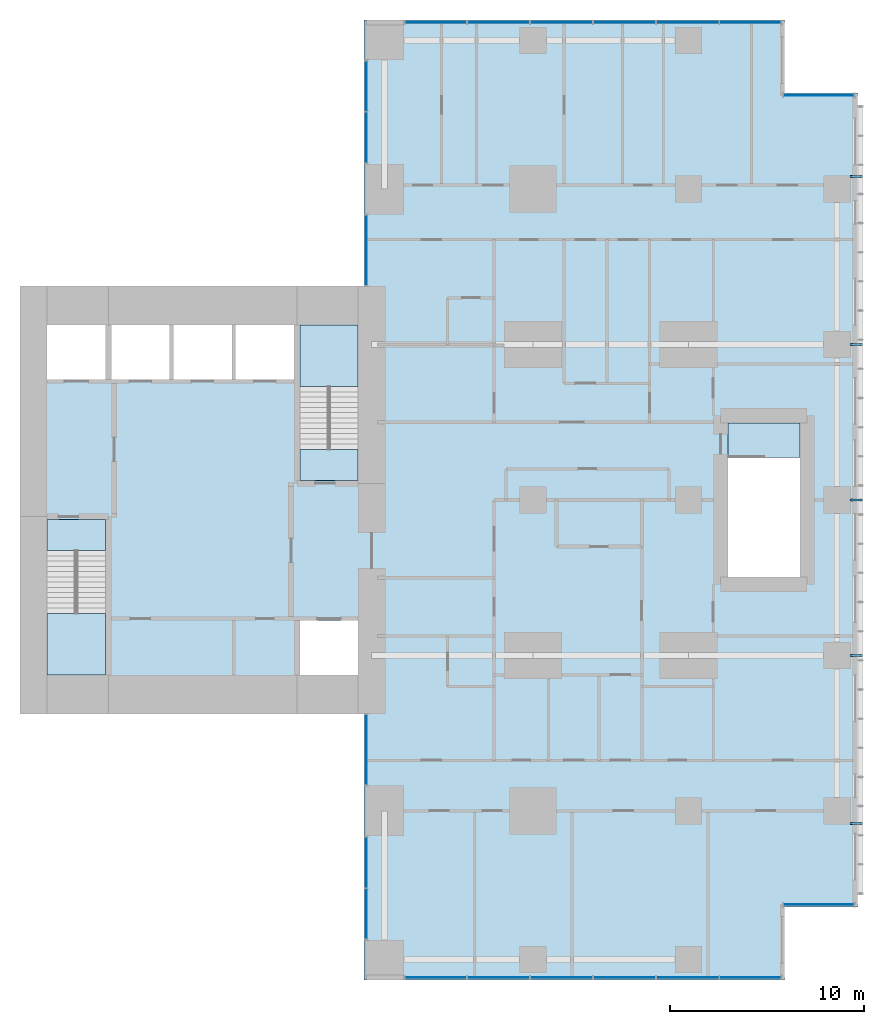
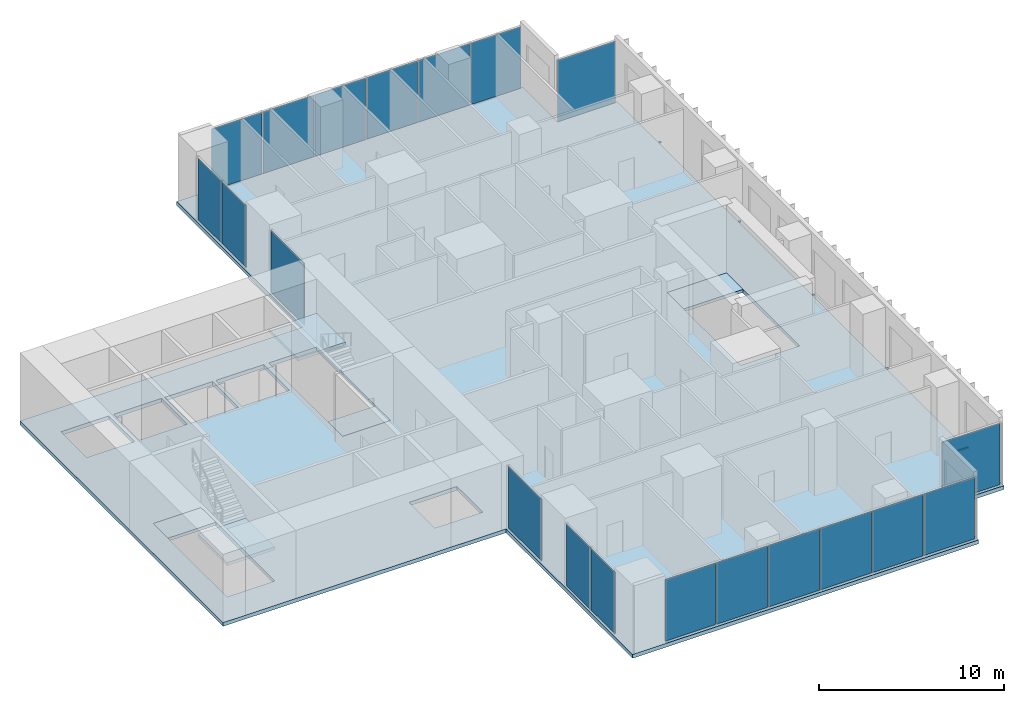
# One storey, part 4 of 11: 20 plates, 6 slabs, 5 members, 10 elements without a shape of their own.
"""IFC4 building model written with IfcOpenShell, lengths in metres."""

import ifcopenshell
import ifcopenshell.guid

model = None  # the IFC model being written
_history = None  # IfcOwnerHistory: only IFC2X3 demands one
_inside = {}  # id of a spatial element -> (the spatial element, [elements in it])
_under = {}  # id of a project, library or spatial element -> (it, [spatial elements below it])
_declared = {}  # id of a project -> (the project, [libraries it declares])
_typed = {}  # id of a type object -> (the type object, [elements of that type])
_made_of = {}  # id of a material, layer set ... -> (it, [elements and type objects made of it])


def new_model(schema):
    """Start an empty IFC model of exactly this schema.

    Asked for "IFC4X3", IfcOpenShell would pick the latest addendum, in which some entities
    have other attributes; the version numbers below select the first issue.
    IFC2X3 requires an IfcOwnerHistory on every rooted entity: one is made here for all.
    """
    global model, _history
    if schema == "IFC4X3":
        model = ifcopenshell.file(schema_version=(4, 3, 0, 0))
    else:
        model = ifcopenshell.file(schema=schema)
    _inside.clear()
    _under.clear()
    _declared.clear()
    _typed.clear()
    _made_of.clear()
    _history = None
    if model.schema == "IFC2X3":
        org = make("IfcOrganization", Name="unknown")
        user = make(
            "IfcPersonAndOrganization",
            ThePerson=make("IfcPerson", FamilyName="unknown"),
            TheOrganization=org,
        )
        app = make(
            "IfcApplication",
            ApplicationDeveloper=org,
            Version="unknown",
            ApplicationFullName="unknown",
            ApplicationIdentifier="unknown",
        )
        _history = make(
            "IfcOwnerHistory",
            OwningUser=user,
            OwningApplication=app,
            ChangeAction="ADDED",
            CreationDate=0,
        )
    return model


def make(cls, **values):
    """One entity of the class cls with the attributes given. An attribute that is None is left unset."""
    return model.create_entity(
        cls, **{name: value for name, value in values.items() if value is not None}
    )


def rooted(cls, **values):
    """An entity with a GlobalId (a new one), such as an element, a storey or a relation."""
    return make(cls, GlobalId=ifcopenshell.guid.new(), OwnerHistory=_history, **values)


def si_unit(unit_type, name, prefix=None):
    """IfcSIUnit, for example si_unit("LENGTHUNIT", "METRE", prefix="MILLI")."""
    return make("IfcSIUnit", UnitType=unit_type, Prefix=prefix, Name=name)


def assignment(units):
    """IfcUnitAssignment: the units of a project."""
    return None if units is None else make("IfcUnitAssignment", Units=units)


def point(xyz):
    """IfcCartesianPoint."""
    return None if xyz is None else make("IfcCartesianPoint", Coordinates=xyz)


def direction(xyz):
    """IfcDirection."""
    return None if xyz is None else make("IfcDirection", DirectionRatios=xyz)


def frame(location, z_axis=None, x_axis=None):
    """IfcAxis2Placement3D, a coordinate frame: its origin and axes. An axis left out is left unset."""
    return make(
        "IfcAxis2Placement3D",
        Location=point(location),
        Axis=direction(z_axis),
        RefDirection=direction(x_axis),
    )


def frame_2d(location, x_axis=None):
    """IfcAxis2Placement2D, a coordinate frame in the plane: its origin and x axis."""
    return make(
        "IfcAxis2Placement2D", Location=point(location), RefDirection=direction(x_axis)
    )


def origin():
    """The frame at (0, 0, 0) with its axes left unset."""
    return frame((0.0, 0.0, 0.0))


def origin_2d():
    """The frame at (0, 0) in the plane with its x axis left unset."""
    return frame_2d((0.0, 0.0))


def place(relative_to, where):
    """IfcLocalPlacement: puts the frame where relative to a parent placement (None: the world)."""
    return make(
        "IfcLocalPlacement", PlacementRelTo=relative_to, RelativePlacement=where
    )


def context(
    kind, dimensions, precision=None, world=None, true_north=None, identifier=None
):
    """IfcGeometricRepresentationContext, for example the 3D "Model" context."""
    return make(
        "IfcGeometricRepresentationContext",
        ContextIdentifier=identifier,
        ContextType=kind,
        CoordinateSpaceDimension=dimensions,
        Precision=precision,
        WorldCoordinateSystem=world,
        TrueNorth=true_north,
    )


def subcontext(parent, identifier, kind, view, scale=None):
    """IfcGeometricRepresentationSubContext, for example "Body" below "Model"."""
    return make(
        "IfcGeometricRepresentationSubContext",
        ContextIdentifier=identifier,
        ContextType=kind,
        ParentContext=parent,
        TargetScale=scale,
        TargetView=view,
    )


def project(units=None, contexts=None):
    """IfcProject with its units and contexts."""
    return rooted(
        "IfcProject",
        Name="project",
        RepresentationContexts=contexts,
        UnitsInContext=assignment(units),
    )


def spatial(cls, under=None, at=None, **own):
    """A site, building, storey or space (cls), placed at a placement, below another one or the project."""
    s = rooted(cls, ObjectPlacement=at, **own)
    if under is not None:
        _under.setdefault(under.id(), (under, []))[1].append(s)
    return s


def polyline(points):
    """IfcPolyline through the points."""
    return make("IfcPolyline", Points=[point(p) for p in points])


def profile(cls, at=None, kind="AREA", **sizes):
    """A parametric profile (cls). Its sizes go by their IFC names, for example OverallWidth=200.0."""
    return make(cls, ProfileType=kind, Position=at, **sizes)


def rectangle(**sizes):
    """IfcRectangleProfileDef."""
    return profile("IfcRectangleProfileDef", **sizes)


def hollow_rectangle(**sizes):
    """IfcRectangleHollowProfileDef."""
    return profile("IfcRectangleHollowProfileDef", **sizes)


def outline(outer, holes=None, kind="AREA"):
    """IfcArbitraryClosedProfileDef: a profile drawn as a closed curve; with holes, ...WithVoids."""
    if holes is None:
        return make("IfcArbitraryClosedProfileDef", ProfileType=kind, OuterCurve=outer)
    return make(
        "IfcArbitraryProfileDefWithVoids",
        ProfileType=kind,
        OuterCurve=outer,
        InnerCurves=holes,
    )


def extrude(swept, where, along, depth):
    """IfcExtrudedAreaSolid: the profile swept, set in the frame where, extruded along a direction by depth."""
    return make(
        "IfcExtrudedAreaSolid",
        SweptArea=swept,
        Position=where,
        ExtrudedDirection=direction(along),
        Depth=depth,
    )


def shape(context_of_items, identifier, shape_type, items):
    """IfcShapeRepresentation: the items that make up one representation, for example the "Body"."""
    return make(
        "IfcShapeRepresentation",
        ContextOfItems=context_of_items,
        RepresentationIdentifier=identifier,
        RepresentationType=shape_type,
        Items=items,
    )


def material(Name=None, Category=None):
    """IfcMaterial."""
    return make("IfcMaterial", Name=Name, Category=Category)


def layer(
    of_material, thickness, ventilated=None, Name=None, Category=None, Priority=None
):
    """IfcMaterialLayer: one layer of a wall or slab, of a material (None: an air gap)."""
    return make(
        "IfcMaterialLayer",
        Material=of_material,
        LayerThickness=thickness,
        IsVentilated=ventilated,
        Name=Name,
        Category=Category,
        Priority=Priority,
    )


def layer_set(layers, Name=None):
    """IfcMaterialLayerSet."""
    return make("IfcMaterialLayerSet", MaterialLayers=layers, LayerSetName=Name)


def material_profile(
    of_material, cross_section, Name=None, Category=None, Priority=None
):
    """IfcMaterialProfile: a cross section and its material."""
    return make(
        "IfcMaterialProfile",
        Name=Name,
        Material=of_material,
        Profile=cross_section,
        Priority=Priority,
        Category=Category,
    )


def profile_set(profiles, Name=None, composite=None):
    """IfcMaterialProfileSet."""
    return make(
        "IfcMaterialProfileSet",
        Name=Name,
        MaterialProfiles=profiles,
        CompositeProfile=composite,
    )


def made_of(thing, what):
    """Note that an element or type object is made of a material, layer set ...; save() writes the relation."""
    if what is not None:
        _made_of.setdefault(what.id(), (what, []))[1].append(thing)
    return thing


def type_object(cls, material=None, **own):
    """A type object (cls), such as IfcWallType, which elements share."""
    return made_of(rooted(cls, **own), material)


def element(
    cls,
    number,
    at=None,
    inside=None,
    cuts=None,
    type_object=None,
    material=None,
    context=None,
    identifier="Body",
    shape_type=None,
    held_by="IfcProductDefinitionShape",
    body=None,
    shapes=None,
    **own,
):
    """One element of the class cls, such as IfcWall. Its Tag is "e" and its number.

    at: its placement. inside: the storey or other place that contains it. cuts: it is an
    opening in that element (IfcRelVoidsElement). A single representation is given by context,
    identifier, shape_type and body (its items); several are given by shapes. held_by: the class
    of the entity that holds the representations. save() writes the other relations.
    """
    e = rooted(cls, Tag="e%d" % number, ObjectPlacement=at, **own)
    if body is not None:
        shapes = [shape(context, identifier, shape_type, body)]
    if shapes is not None:
        e.Representation = make(held_by, Representations=shapes)
    if inside is not None:
        _inside.setdefault(inside.id(), (inside, []))[1].append(e)
    if cuts is not None:
        rooted(
            "IfcRelVoidsElement", RelatingBuildingElement=cuts, RelatedOpeningElement=e
        )
    if type_object is not None:
        _typed.setdefault(type_object.id(), (type_object, []))[1].append(e)
    return made_of(e, material)


def aggregate(whole, parts):
    """IfcRelAggregates: a whole, such as a stair, and the parts it consists of."""
    return rooted("IfcRelAggregates", RelatingObject=whole, RelatedObjects=parts)


def save(model, path):
    """Write the relations noted so far, then the file.

    IfcRelAggregates (storeys below a building ...), IfcRelContainedInSpatialStructure (elements
    in a storey), IfcRelDefinesByType, IfcRelAssociatesMaterial and IfcRelDeclares: one each for
    every whole, place, type object, material and project.
    """
    for whole, parts in _under.values():
        aggregate(whole, parts)
    for where, things in _inside.values():
        rooted(
            "IfcRelContainedInSpatialStructure",
            RelatedElements=things,
            RelatingStructure=where,
        )
    for kind, things in _typed.values():
        rooted("IfcRelDefinesByType", RelatedObjects=things, RelatingType=kind)
    for what, things in _made_of.values():
        rooted("IfcRelAssociatesMaterial", RelatedObjects=things, RelatingMaterial=what)
    for by, libraries in _declared.values():
        rooted("IfcRelDeclares", RelatingContext=by, RelatedDefinitions=libraries)
    model.write(path)


model = new_model("IFC4")

# Units and contexts
model_context = context("Model", 3, precision=1e-05, world=origin(), true_north=direction((0.0, 1.0)))
body_context = subcontext(model_context, "Body", "Model", "MODEL_VIEW")
ifc_project = project(units=[si_unit("LENGTHUNIT", "METRE"), si_unit("AREAUNIT", "SQUARE_METRE"), si_unit("VOLUMEUNIT", "CUBIC_METRE"), si_unit("PLANEANGLEUNIT", "RADIAN"), si_unit("MASSUNIT", "GRAM", prefix="KILO")], contexts=[model_context])

# Site, building, storey
site_placement = place(None, origin())
site = spatial("IfcSite", under=ifc_project, at=site_placement, CompositionType="ELEMENT")
building_placement = place(site_placement, origin())
building = spatial("IfcBuilding", under=site, at=building_placement, Name="Cleftline Residences", CompositionType="ELEMENT")
storey_placement = place(building_placement, frame((0.0, 0.0, 287.10009765625)))
storey = spatial("IfcBuildingStorey", under=building, at=storey_placement, Name="L75", CompositionType="ELEMENT", Elevation=287.10009765625)

# Members
ifc_material_1 = material(Name="Steel S355, hot-dip galvanised", Category="steel")
ifc_material_profile = material_profile(ifc_material_1, hollow_rectangle(XDim=0.10009765625, YDim=0.10009765625, WallThickness=0.008056640625, InnerFilletRadius=0.008056640625, OuterFilletRadius=0.011962890625, at=origin_2d()))
ifc_profile_set = profile_set([ifc_material_profile], Name="Steel S355, hot-dip galvanised")
member_type = type_object("IfcMemberType", Name="BAGUETTE BRACKET SHS 100X100X8", PredefinedType="USERDEFINED", material=ifc_profile_set)
for number, where, z_axis, x_axis, name in (
    (1, (66.300048828125, 7.35009765625, -0.150146484375), (1.0, 0.0, 0.0), (0.0, 1.0, 0.0), "Baguette bracket"),
    (2, (66.300048828125, 16.0, -0.150146484375), (1.0, 0.0, 0.0), (0.0, 1.0, 0.0), "Baguette bracket"),
    (3, (66.300048828125, 24.0, -0.150146484375), (1.0, 0.0, 0.0), (0.0, 1.0, 0.0), "Baguette bracket"),
    (4, (66.300048828125, 32.0, -0.150146484375), (1.0, 0.0, 0.0), (0.0, 1.0, 0.0), "Baguette bracket"),
    (5, (66.300048828125, 40.64990234375, -0.150146484375), (1.0, 0.0, 0.0), (0.0, 1.0, 0.0), "Baguette bracket"),
):
    element("IfcMember", number, at=place(storey_placement, frame(where, z_axis=z_axis, x_axis=x_axis)), inside=storey, type_object=member_type, Name=name, ObjectType="BAGUETTE BRACKET", PredefinedType="USERDEFINED", context=body_context, shape_type="SweptSolid", body=[
        extrude(hollow_rectangle(XDim=0.10009765625, YDim=0.10009765625, WallThickness=0.008056640625, InnerFilletRadius=0.008056640625, OuterFilletRadius=0.011962890625, at=origin_2d()), origin(), (0.0, 0.0, 1.0), 0.64990234375),
    ])

# Curtain wall, plate
ifc_material_2 = material(Name="Aluminium framed curtain wall", Category="aluminium")
ifc_layer_1 = layer(ifc_material_2, 0.199951171875)
ifc_layer_set_1 = layer_set([ifc_layer_1], Name="CW1 CLEFT GLAZING")
curtain_wall_type_1 = type_object("IfcCurtainWallType", Name="CW1 CLEFT GLAZING", PredefinedType="NOTDEFINED", material=ifc_layer_set_1)
curtain_wall_1_placement = place(storey_placement, origin())
curtain_wall_1 = element("IfcCurtainWall", 6, at=curtain_wall_1_placement, inside=storey, type_object=curtain_wall_type_1, Name="Curtain wall CW1", PredefinedType="NOTDEFINED")
ifc_material_3 = material(Name="Laminated clear glass", Category="glass")
ifc_layer_2 = layer(ifc_material_3, 0.028076171875)
ifc_layer_set_2 = layer_set([ifc_layer_2], Name="CW1 GLASS PANEL")
plate_type_1 = type_object("IfcPlateType", Name="CW1 GLASS PANEL", PredefinedType="CURTAIN_PANEL", material=ifc_layer_set_2)
plate_1_placement = place(storey_placement, frame((41.425048828125, 5.347412109375, 0.059814453125), z_axis=(0.0, 0.0, 1.0), x_axis=(0.0, -1.0, 0.0)))
plate_1 = element("IfcPlate", 7, at=plate_1_placement, type_object=plate_type_1, Name="CW1 panel 1.1", PredefinedType="CURTAIN_PANEL", context=body_context, shape_type="SweptSolid", body=[
    extrude(rectangle(XDim=2.5849609375, YDim=0.028076171875, at=origin_2d()), origin(), (0.0, 0.0, 1.0), 4.080078125),
])

curtain_wall_2_placement = place(storey_placement, origin())
curtain_wall_2 = element("IfcCurtainWall", 8, at=curtain_wall_2_placement, inside=storey, type_object=curtain_wall_type_1, Name="Curtain wall CW1", PredefinedType="NOTDEFINED")
plate_2_placement = place(storey_placement, frame((41.425048828125, 45.297607421875, 0.059814453125), z_axis=(0.0, 0.0, 1.0), x_axis=(0.0, -1.0, 0.0)))
plate_2 = element("IfcPlate", 9, at=plate_2_placement, type_object=plate_type_1, Name="CW1 panel 1.1", PredefinedType="CURTAIN_PANEL", context=body_context, shape_type="SweptSolid", body=[
    extrude(rectangle(XDim=2.5849609375, YDim=0.028076171875, at=origin_2d()), origin(), (0.0, 0.0, 1.0), 4.080078125),
])

curtain_wall_3_placement = place(storey_placement, origin())
curtain_wall_3 = element("IfcCurtainWall", 10, at=curtain_wall_3_placement, inside=storey, type_object=curtain_wall_type_1, Name="Curtain wall CW1", PredefinedType="NOTDEFINED")
ifc_material_4 = material(Name="Insulated aluminium panel", Category="aluminium")
ifc_layer_3 = layer(ifc_material_4, 0.028076171875)
ifc_layer_set_3 = layer_set([ifc_layer_3], Name="CW1 INSULATED PANEL")
plate_type_2 = type_object("IfcPlateType", Name="CW1 INSULATED PANEL", PredefinedType="USERDEFINED", material=ifc_layer_set_3)
plate_3_placement = place(storey_placement, frame((41.425048828125, 11.14990234375, 0.059814453125), z_axis=(0.0, 0.0, 1.0), x_axis=(0.0, -1.0, 0.0)))
plate_3 = element("IfcPlate", 11, at=plate_3_placement, type_object=plate_type_2, Name="CW1 panel 1.1", ObjectType="INSULATED PANEL", PredefinedType="USERDEFINED", context=body_context, shape_type="SweptSolid", body=[
    extrude(rectangle(XDim=3.580078125, YDim=0.028076171875, at=origin_2d()), origin(), (0.0, 0.0, 1.0), 4.080078125),
])
aggregate(curtain_wall_3, [plate_3])

# Plate
plate_4_placement = place(storey_placement, frame((41.425048828125, 2.702392578125, 0.059814453125), z_axis=(0.0, 0.0, 1.0), x_axis=(0.0, -1.0, 0.0)))
plate_4 = element("IfcPlate", 12, at=plate_4_placement, type_object=plate_type_2, Name="CW1 panel 2.1", ObjectType="INSULATED PANEL", PredefinedType="USERDEFINED", context=body_context, shape_type="SweptSolid", body=[
    extrude(rectangle(XDim=2.5849609375, YDim=0.028076171875, at=origin_2d()), origin(), (0.0, 0.0, 1.0), 4.080078125),
])

aggregate(curtain_wall_1, [plate_1, plate_4])

plate_5_placement = place(storey_placement, frame((41.425048828125, 42.652587890625, 0.059814453125), z_axis=(0.0, 0.0, 1.0), x_axis=(0.0, -1.0, 0.0)))
plate_5 = element("IfcPlate", 13, at=plate_5_placement, type_object=plate_type_2, Name="CW1 panel 2.1", ObjectType="INSULATED PANEL", PredefinedType="USERDEFINED", context=body_context, shape_type="SweptSolid", body=[
    extrude(rectangle(XDim=2.5849609375, YDim=0.028076171875, at=origin_2d()), origin(), (0.0, 0.0, 1.0), 4.080078125),
])

aggregate(curtain_wall_2, [plate_2, plate_5])

# Curtain wall, plate
curtain_wall_4_placement = place(storey_placement, origin())
curtain_wall_4 = element("IfcCurtainWall", 14, at=curtain_wall_4_placement, inside=storey, type_object=curtain_wall_type_1, Name="Curtain wall CW1", PredefinedType="NOTDEFINED")
plate_6_placement = place(storey_placement, frame((41.425048828125, 36.85009765625, 0.059814453125), z_axis=(0.0, 0.0, 1.0), x_axis=(0.0, -1.0, 0.0)))
plate_6 = element("IfcPlate", 15, at=plate_6_placement, type_object=plate_type_2, Name="CW1 panel 1.1", ObjectType="INSULATED PANEL", PredefinedType="USERDEFINED", context=body_context, shape_type="SweptSolid", body=[
    extrude(rectangle(XDim=3.580078125, YDim=0.028076171875, at=origin_2d()), origin(), (0.0, 0.0, 1.0), 4.080078125),
])
aggregate(curtain_wall_4, [plate_6])

# Curtain wall, plates
ifc_material_5 = material(Name="Aluminium framed curtain wall", Category="aluminium")
ifc_layer_4 = layer(ifc_material_5, 0.199951171875)
ifc_layer_set_4 = layer_set([ifc_layer_4], Name="CW5 PENTHOUSE GLAZING")
curtain_wall_type_2 = type_object("IfcCurtainWallType", Name="CW5 PENTHOUSE GLAZING", PredefinedType="NOTDEFINED", material=ifc_layer_set_4)
curtain_wall_5_placement = place(storey_placement, origin())
curtain_wall_5 = element("IfcCurtainWall", 16, at=curtain_wall_5_placement, inside=storey, type_object=curtain_wall_type_2, Name="Curtain wall CW5", PredefinedType="NOTDEFINED")
ifc_material_6 = material(Name="Laminated clear glass", Category="glass")
ifc_layer_5 = layer(ifc_material_6, 0.028076171875)
ifc_layer_set_5 = layer_set([ifc_layer_5], Name="CW5 GLASS PANEL")
plate_type_3 = type_object("IfcPlateType", Name="CW5 GLASS PANEL", PredefinedType="CURTAIN_PANEL", material=ifc_layer_set_5)
plate_7_placement = place(storey_placement, frame((48.21875, -0.574951171875, 0.06982421875), z_axis=(0.0, 0.0, 1.0), x_axis=(1.0, 0.0, 0.0)))
plate_7 = element("IfcPlate", 17, at=plate_7_placement, type_object=plate_type_3, Name="CW5 panel 2.1", PredefinedType="CURTAIN_PANEL", context=body_context, shape_type="SweptSolid", body=[
    extrude(rectangle(XDim=3.17578125, YDim=0.028076171875, at=origin_2d()), origin(), (0.0, 0.0, 1.0), 4.06005859375),
])
plate_8_placement = place(storey_placement, frame((51.464599609375, -0.574951171875, 0.06982421875), z_axis=(0.0, 0.0, 1.0), x_axis=(1.0, 0.0, 0.0)))
plate_8 = element("IfcPlate", 18, at=plate_8_placement, type_object=plate_type_3, Name="CW5 panel 3.1", PredefinedType="CURTAIN_PANEL", context=body_context, shape_type="SweptSolid", body=[
    extrude(rectangle(XDim=3.17578125, YDim=0.028076171875, at=origin_2d()), origin(), (0.0, 0.0, 1.0), 4.06005859375),
])
plate_9_placement = place(storey_placement, frame((54.71044921875, -0.574951171875, 0.06982421875), z_axis=(0.0, 0.0, 1.0), x_axis=(1.0, 0.0, 0.0)))
plate_9 = element("IfcPlate", 19, at=plate_9_placement, type_object=plate_type_3, Name="CW5 panel 4.1", PredefinedType="CURTAIN_PANEL", context=body_context, shape_type="SweptSolid", body=[
    extrude(rectangle(XDim=3.17578125, YDim=0.028076171875, at=origin_2d()), origin(), (0.0, 0.0, 1.0), 4.06005859375),
])
plate_10_placement = place(storey_placement, frame((61.1845703125, -0.574951171875, 0.06982421875), z_axis=(0.0, 0.0, 1.0), x_axis=(1.0, 0.0, 0.0)))
plate_10 = element("IfcPlate", 20, at=plate_10_placement, type_object=plate_type_3, Name="CW5 panel 6.1", PredefinedType="CURTAIN_PANEL", context=body_context, shape_type="SweptSolid", body=[
    extrude(rectangle(XDim=3.140869140625, YDim=0.028076171875, at=origin_2d()), origin(), (0.0, 0.0, 1.0), 4.06005859375),
])

# Curtain wall, plate
curtain_wall_6_placement = place(storey_placement, origin())
curtain_wall_6 = element("IfcCurtainWall", 21, at=curtain_wall_6_placement, inside=storey, type_object=curtain_wall_type_2, Name="Curtain wall CW5", PredefinedType="NOTDEFINED")
plate_11_placement = place(storey_placement, frame((64.699951171875, 3.175048828125, 0.06982421875), z_axis=(0.0, 0.0, 1.0), x_axis=(1.0, 0.0, 0.0)))
plate_11 = element("IfcPlate", 22, at=plate_11_placement, type_object=plate_type_3, Name="CW5 panel 1.1", PredefinedType="CURTAIN_PANEL", context=body_context, shape_type="SweptSolid", body=[
    extrude(rectangle(XDim=3.610107421875, YDim=0.028076171875, at=origin_2d()), origin(), (0.0, 0.0, 1.0), 4.06005859375),
])
aggregate(curtain_wall_6, [plate_11])

curtain_wall_7_placement = place(storey_placement, origin())
curtain_wall_7 = element("IfcCurtainWall", 23, at=curtain_wall_7_placement, inside=storey, type_object=curtain_wall_type_2, Name="Curtain wall CW5", PredefinedType="NOTDEFINED")
plate_12_placement = place(storey_placement, frame((64.699951171875, 44.824951171875, 0.06982421875), z_axis=(0.0, 0.0, 1.0), x_axis=(-1.0, 0.0, 0.0)))
plate_12 = element("IfcPlate", 24, at=plate_12_placement, type_object=plate_type_3, Name="CW5 panel 1.1", PredefinedType="CURTAIN_PANEL", context=body_context, shape_type="SweptSolid", body=[
    extrude(rectangle(XDim=3.610107421875, YDim=0.028076171875, at=origin_2d()), origin(), (0.0, 0.0, 1.0), 4.06005859375),
])
aggregate(curtain_wall_7, [plate_12])

# Curtain wall, plates
curtain_wall_8_placement = place(storey_placement, origin())
curtain_wall_8 = element("IfcCurtainWall", 25, at=curtain_wall_8_placement, inside=storey, type_object=curtain_wall_type_2, Name="Curtain wall CW5", PredefinedType="NOTDEFINED")
plate_13_placement = place(storey_placement, frame((61.1845703125, 48.574951171875, 0.06982421875), z_axis=(0.0, 0.0, 1.0), x_axis=(-1.0, 0.0, 0.0)))
plate_13 = element("IfcPlate", 26, at=plate_13_placement, type_object=plate_type_3, Name="CW5 panel 1.1", PredefinedType="CURTAIN_PANEL", context=body_context, shape_type="SweptSolid", body=[
    extrude(rectangle(XDim=3.140869140625, YDim=0.028076171875, at=origin_2d()), origin(), (0.0, 0.0, 1.0), 4.06005859375),
])
plate_14_placement = place(storey_placement, frame((54.71044921875, 48.574951171875, 0.06982421875), z_axis=(0.0, 0.0, 1.0), x_axis=(-1.0, 0.0, 0.0)))
plate_14 = element("IfcPlate", 27, at=plate_14_placement, type_object=plate_type_3, Name="CW5 panel 3.1", PredefinedType="CURTAIN_PANEL", context=body_context, shape_type="SweptSolid", body=[
    extrude(rectangle(XDim=3.17578125, YDim=0.028076171875, at=origin_2d()), origin(), (0.0, 0.0, 1.0), 4.06005859375),
])
plate_15_placement = place(storey_placement, frame((51.464599609375, 48.574951171875, 0.06982421875), z_axis=(0.0, 0.0, 1.0), x_axis=(-1.0, 0.0, 0.0)))
plate_15 = element("IfcPlate", 28, at=plate_15_placement, type_object=plate_type_3, Name="CW5 panel 4.1", PredefinedType="CURTAIN_PANEL", context=body_context, shape_type="SweptSolid", body=[
    extrude(rectangle(XDim=3.17578125, YDim=0.028076171875, at=origin_2d()), origin(), (0.0, 0.0, 1.0), 4.06005859375),
])
plate_16_placement = place(storey_placement, frame((48.21875, 48.574951171875, 0.06982421875), z_axis=(0.0, 0.0, 1.0), x_axis=(-1.0, 0.0, 0.0)))
plate_16 = element("IfcPlate", 29, at=plate_16_placement, type_object=plate_type_3, Name="CW5 panel 5.1", PredefinedType="CURTAIN_PANEL", context=body_context, shape_type="SweptSolid", body=[
    extrude(rectangle(XDim=3.17578125, YDim=0.028076171875, at=origin_2d()), origin(), (0.0, 0.0, 1.0), 4.06005859375),
])

# Plate
ifc_material_7 = material(Name="Insulated aluminium panel", Category="aluminium")
ifc_layer_6 = layer(ifc_material_7, 0.028076171875)
ifc_layer_set_6 = layer_set([ifc_layer_6], Name="CW5 INSULATED PANEL")
plate_type_4 = type_object("IfcPlateType", Name="CW5 INSULATED PANEL", PredefinedType="USERDEFINED", material=ifc_layer_set_6)
plate_17_placement = place(storey_placement, frame((44.990478515625, -0.574951171875, 0.06982421875), z_axis=(0.0, 0.0, 1.0), x_axis=(1.0, 0.0, 0.0)))
plate_17 = element("IfcPlate", 30, at=plate_17_placement, type_object=plate_type_4, Name="CW5 panel 1.1", ObjectType="INSULATED PANEL", PredefinedType="USERDEFINED", context=body_context, shape_type="SweptSolid", body=[
    extrude(rectangle(XDim=3.140869140625, YDim=0.028076171875, at=origin_2d()), origin(), (0.0, 0.0, 1.0), 4.06005859375),
])

plate_18_placement = place(storey_placement, frame((57.956298828125, -0.574951171875, 0.06982421875), z_axis=(0.0, 0.0, 1.0), x_axis=(1.0, 0.0, 0.0)))
plate_18 = element("IfcPlate", 31, at=plate_18_placement, type_object=plate_type_4, Name="CW5 panel 5.1", ObjectType="INSULATED PANEL", PredefinedType="USERDEFINED", context=body_context, shape_type="SweptSolid", body=[
    extrude(rectangle(XDim=3.17578125, YDim=0.028076171875, at=origin_2d()), origin(), (0.0, 0.0, 1.0), 4.06005859375),
])

aggregate(curtain_wall_5, [plate_17, plate_7, plate_8, plate_9, plate_18, plate_10])

plate_19_placement = place(storey_placement, frame((57.956298828125, 48.574951171875, 0.06982421875), z_axis=(0.0, 0.0, 1.0), x_axis=(-1.0, 0.0, 0.0)))
plate_19 = element("IfcPlate", 32, at=plate_19_placement, type_object=plate_type_4, Name="CW5 panel 2.1", ObjectType="INSULATED PANEL", PredefinedType="USERDEFINED", context=body_context, shape_type="SweptSolid", body=[
    extrude(rectangle(XDim=3.17578125, YDim=0.028076171875, at=origin_2d()), origin(), (0.0, 0.0, 1.0), 4.06005859375),
])

plate_20_placement = place(storey_placement, frame((44.990478515625, 48.574951171875, 0.06982421875), z_axis=(0.0, 0.0, 1.0), x_axis=(-1.0, 0.0, 0.0)))
plate_20 = element("IfcPlate", 33, at=plate_20_placement, type_object=plate_type_4, Name="CW5 panel 6.1", ObjectType="INSULATED PANEL", PredefinedType="USERDEFINED", context=body_context, shape_type="SweptSolid", body=[
    extrude(rectangle(XDim=3.140869140625, YDim=0.028076171875, at=origin_2d()), origin(), (0.0, 0.0, 1.0), 4.06005859375),
])

aggregate(curtain_wall_8, [plate_13, plate_19, plate_14, plate_15, plate_16, plate_20])

# Slab
ifc_material_8 = material(Name="Concrete B45", Category="concrete")
ifc_layer_7 = layer(ifc_material_8, 0.25)
ifc_layer_set_7 = layer_set([ifc_layer_7], Name="FLOOR SLAB 250")
slab_type_1 = type_object("IfcSlabType", Name="FLOOR SLAB 250", PredefinedType="FLOOR", material=ifc_layer_set_7)
slab_1_placement = place(storey_placement, frame((0.0, 0.0, -0.25)))
element("IfcSlab", 34, at=slab_1_placement, inside=storey, type_object=slab_type_1, Name="Floor slab L75", PredefinedType="FLOOR", context=body_context, shape_type="SweptSolid", body=[
    extrude(outline(polyline([(41.300048828125, 13.0), (41.300048828125, -0.699951171875), (62.949951171875, -0.699951171875), (62.949951171875, 3.050048828125), (66.699951171875, 3.050048828125), (66.699951171875, 44.949951171875), (62.949951171875, 44.949951171875), (62.949951171875, 48.699951171875), (41.300048828125, 48.699951171875), (41.300048828125, 35.0), (23.60009765625, 35.0), (23.60009765625, 13.0), (41.300048828125, 13.0)]), holes=[polyline([(28.0, 15.0), (28.0, 23.0), (25.0, 23.0), (25.0, 15.0), (28.0, 15.0)]), polyline([(41.0, 25.0), (41.0, 33.0), (38.0, 33.0), (38.0, 25.0), (41.0, 25.0)]), polyline([(28.0, 30.199951171875), (28.0, 33.0), (25.0, 33.0), (25.0, 30.199951171875), (28.0, 30.199951171875)]), polyline([(41.0, 15.0), (41.0, 17.800048828125), (38.0, 17.800048828125), (38.0, 15.0), (41.0, 15.0)]), polyline([(31.300048828125, 30.199951171875), (31.300048828125, 33.0), (28.300048828125, 33.0), (28.300048828125, 30.199951171875), (31.300048828125, 30.199951171875)]), polyline([(34.5, 30.199951171875), (34.5, 33.0), (31.5, 33.0), (31.5, 30.199951171875), (34.5, 30.199951171875)]), polyline([(37.699951171875, 30.199951171875), (37.699951171875, 33.0), (34.699951171875, 33.0), (34.699951171875, 30.199951171875), (37.699951171875, 30.199951171875)]), polyline([(63.72509765625, 20.02490234375), (63.72509765625, 27.97509765625), (60.02490234375, 27.97509765625), (60.02490234375, 20.02490234375), (63.72509765625, 20.02490234375)])]), origin(), (0.0, 0.0, 1.0), 0.25),
])

# Stair, slabs
ifc_material_9 = material(Name="Concrete B45, stone treads", Category="masonry")
stair_type_1 = type_object("IfcStairType", Name="STAIR A 1450 WIDE 173 RISER", PredefinedType="HALF_TURN_STAIR", material=ifc_material_9)
stair_1_placement = place(storey_placement, origin())
stair_1 = element("IfcStair", 35, at=stair_1_placement, inside=storey, type_object=stair_type_1, Name="Stair A L75", PredefinedType="HALF_TURN_STAIR")
ifc_material_10 = material(Name="Concrete B45", Category="concrete")
ifc_layer_8 = layer(ifc_material_10, 0.199951171875)
ifc_layer_set_8 = layer_set([ifc_layer_8], Name="STAIR LANDING 200")
slab_type_2 = type_object("IfcSlabType", Name="STAIR LANDING 200", PredefinedType="LANDING", material=ifc_layer_set_8)
slab_2_placement = place(storey_placement, frame((0.0, 0.0, -0.2001953125)))
slab_2 = element("IfcSlab", 36, at=slab_2_placement, type_object=slab_type_2, Name="ST-A landing 1", PredefinedType="LANDING", context=body_context, shape_type="SweptSolid", body=[
    extrude(outline(polyline([(25.0, 21.39990234375), (28.0, 21.39990234375), (28.0, 23.0), (25.0, 23.0), (25.0, 21.39990234375)])), origin(), (0.0, 0.0, 1.0), 0.2001953125),
])
slab_3_placement = place(storey_placement, frame((0.0, 0.0, 2.0498046875)))
slab_3 = element("IfcSlab", 37, at=slab_3_placement, type_object=slab_type_2, Name="ST-A landing 2", PredefinedType="LANDING", context=body_context, shape_type="SweptSolid", body=[
    extrude(outline(polyline([(25.0, 15.0), (28.0, 15.0), (28.0, 18.159912109375), (25.0, 18.159912109375), (25.0, 15.0)])), origin(), (0.0, 0.0, 1.0), 0.2001953125),
])
aggregate(stair_1, [slab_2, slab_3])

ifc_material_11 = material(Name="Concrete B45, stone treads", Category="masonry")
stair_type_2 = type_object("IfcStairType", Name="STAIR B 1450 WIDE 173 RISER", PredefinedType="HALF_TURN_STAIR", material=ifc_material_11)
stair_2_placement = place(storey_placement, origin())
stair_2 = element("IfcStair", 38, at=stair_2_placement, inside=storey, type_object=stair_type_2, Name="Stair B L75", PredefinedType="HALF_TURN_STAIR")
slab_4_placement = place(storey_placement, frame((0.0, 0.0, -0.2001953125)))
slab_4 = element("IfcSlab", 39, at=slab_4_placement, type_object=slab_type_2, Name="ST-B landing 1", PredefinedType="LANDING", context=body_context, shape_type="SweptSolid", body=[
    extrude(outline(polyline([(38.0, 25.0), (41.0, 25.0), (41.0, 26.60009765625), (38.0, 26.60009765625), (38.0, 25.0)])), origin(), (0.0, 0.0, 1.0), 0.2001953125),
])
slab_5_placement = place(storey_placement, frame((0.0, 0.0, 2.0498046875)))
slab_5 = element("IfcSlab", 40, at=slab_5_placement, type_object=slab_type_2, Name="ST-B landing 2", PredefinedType="LANDING", context=body_context, shape_type="SweptSolid", body=[
    extrude(outline(polyline([(38.0, 29.840087890625), (41.0, 29.840087890625), (41.0, 33.0), (38.0, 33.0), (38.0, 29.840087890625)])), origin(), (0.0, 0.0, 1.0), 0.2001953125),
])
aggregate(stair_2, [slab_4, slab_5])

# Slab
slab_6_placement = place(storey_placement, frame((0.0, 0.0, -0.2001953125)))
element("IfcSlab", 41, at=slab_6_placement, inside=storey, type_object=slab_type_2, Name="Stair E top landing", PredefinedType="LANDING", context=body_context, shape_type="SweptSolid", body=[
    extrude(outline(polyline([(60.02490234375, 26.175048828125), (63.72509765625, 26.175048828125), (63.72509765625, 27.97509765625), (60.02490234375, 27.97509765625), (60.02490234375, 26.175048828125)])), origin(), (0.0, 0.0, 1.0), 0.2001953125),
])

save(model, "model.ifc")
